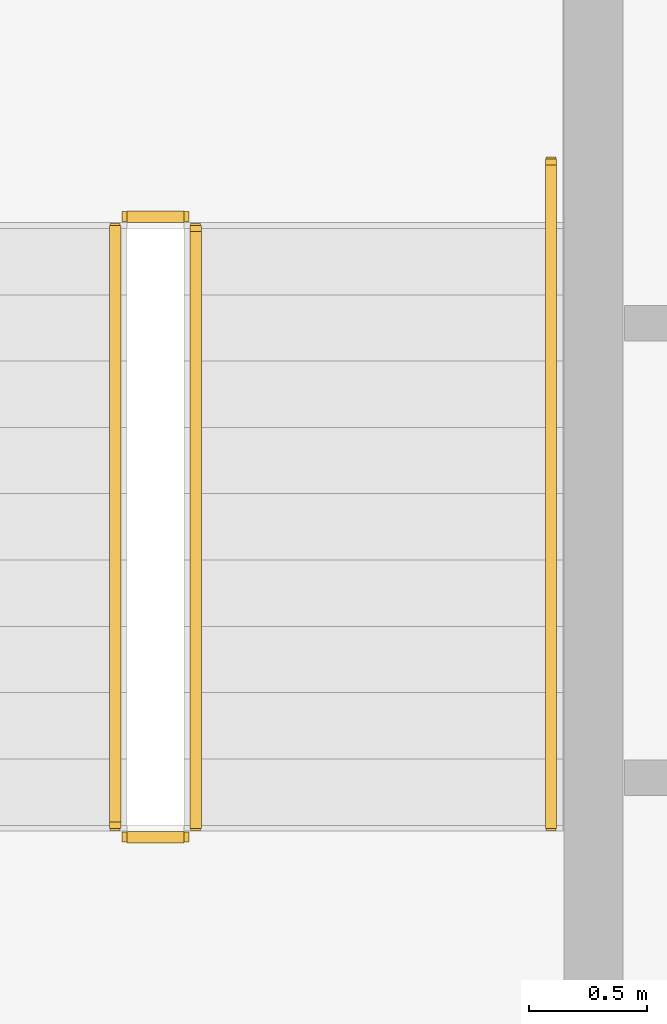
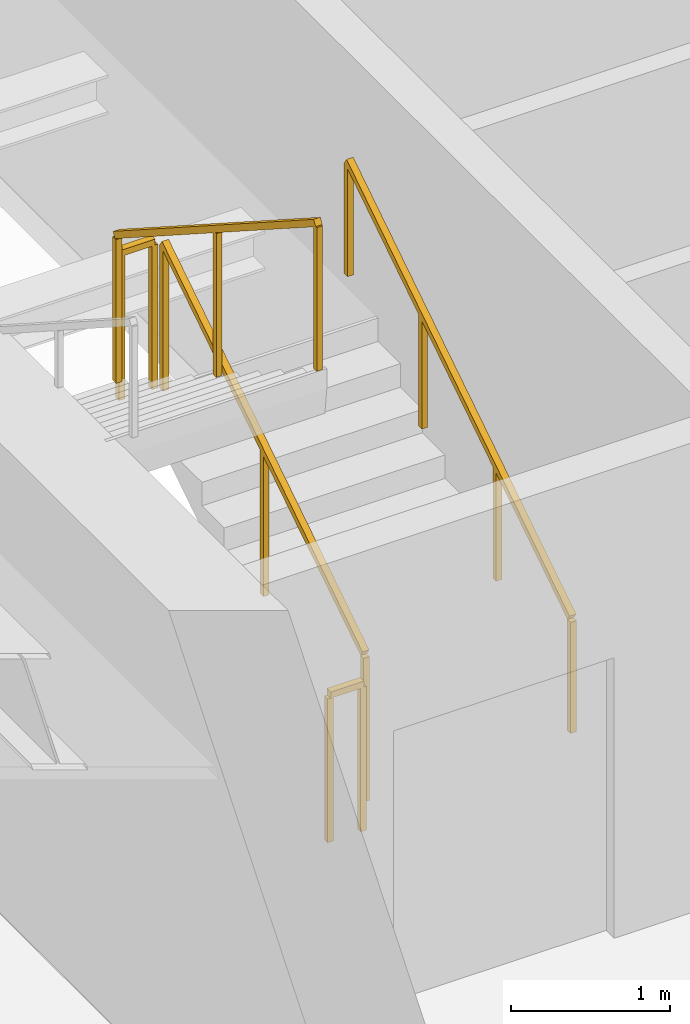
# One storey, part 24 of 27: 5 railings.
"""IFC4 building model written with IfcOpenShell, lengths in metres."""

from ifc_helpers import new_model, si_unit, direction, frame, origin, origin_2d, place, context, subcontext, project, spatial, rectangle, extrude, material, type_object, element, save


model = new_model("IFC4")

# Units and contexts
model_context = context("Model", 3, precision=1e-05, world=origin(), true_north=direction((0.0, 1.0)))
body_context = subcontext(model_context, "Body", "Model", "MODEL_VIEW")
ifc_project = project(units=[si_unit("LENGTHUNIT", "METRE"), si_unit("AREAUNIT", "SQUARE_METRE"), si_unit("VOLUMEUNIT", "CUBIC_METRE"), si_unit("PLANEANGLEUNIT", "RADIAN"), si_unit("MASSUNIT", "GRAM", prefix="KILO")], contexts=[model_context])

# Site, building, storey
site_placement = place(None, origin())
site = spatial("IfcSite", under=ifc_project, at=site_placement, CompositionType="ELEMENT")
building_placement = place(site_placement, origin())
building = spatial("IfcBuilding", under=site, at=building_placement, Name="Sumidabori Civic Tower", CompositionType="ELEMENT")
storey_placement = place(building_placement, frame((0.0, 0.0, 142.39990234375)))
storey = spatial("IfcBuildingStorey", under=building, at=storey_placement, Name="L36", CompositionType="ELEMENT", Elevation=142.39990234375)

# Railings
ifc_material_1 = material(Name="Stainless Steel Hairline Finish", Category="steel")
railing_type_1 = type_object("IfcRailingType", Name="RL-HANDRAIL", PredefinedType="HANDRAIL", material=ifc_material_1)
railing_1_placement = place(storey_placement, frame((-11.949951171875, 16.0, 0.18017578125)))
element("IfcRailing", 1, at=railing_1_placement, inside=storey, type_object=railing_type_1, Name="L36 ST-1 stair handrail 1", PredefinedType="HANDRAIL", context=body_context, shape_type="SweptSolid", body=[
    extrude(rectangle(XDim=0.048095703125, YDim=0.048095703125, at=origin_2d()), frame((0.0, 0.0, 0.8759765625), z_axis=(0.0, 0.840675598268, 0.541539046124), x_axis=(-1.0, 0.0, 0.0)), (0.0, 0.0, 1.0), 3.330810546875),
    extrude(rectangle(XDim=0.0419921875, YDim=0.0419921875, at=origin_2d()), origin(), (0.0, 0.0, 1.0), 0.851806640625),
    extrude(rectangle(XDim=0.0419921875, YDim=0.0419921875, at=origin_2d()), frame((0.0, 0.933349609375, 0.601318359375)), (0.0, 0.0, 1.0), 0.851806640625),
    extrude(rectangle(XDim=0.0419921875, YDim=0.0419921875, at=origin_2d()), frame((0.0, 1.86669921875, 1.202392578125)), (0.0, 0.0, 1.0), 0.851806640625),
    extrude(rectangle(XDim=0.0419921875, YDim=0.0419921875, at=origin_2d()), frame((0.0, 2.800048828125, 1.8037109375)), (0.0, 0.0, 1.0), 0.851806640625),
])
ifc_material_2 = material(Name="Steel SN490", Category="steel")
railing_type_2 = type_object("IfcRailingType", Name="RL-STAIR-GUARD", PredefinedType="GUARDRAIL", material=ifc_material_2)
railing_2_placement = place(storey_placement, frame((-13.449951171875, 16.0, 0.18017578125)))
element("IfcRailing", 2, at=railing_2_placement, inside=storey, type_object=railing_type_2, Name="L36 ST-1 stair guard 1", PredefinedType="GUARDRAIL", context=body_context, shape_type="SweptSolid", body=[
    extrude(rectangle(XDim=0.048095703125, YDim=0.048095703125, at=origin_2d()), frame((0.0, 0.0, 1.1259765625), z_axis=(0.0, 0.841199657755, 0.540724639528), x_axis=(-1.0, 0.0, 0.0)), (0.0, 0.0, 1.0), 2.995849609375),
    extrude(rectangle(XDim=0.0419921875, YDim=0.0419921875, at=origin_2d()), origin(), (0.0, 0.0, 1.0), 1.101806640625),
    extrude(rectangle(XDim=0.0419921875, YDim=0.0419921875, at=origin_2d()), frame((0.0, 1.260009765625, 0.81005859375)), (0.0, 0.0, 1.0), 1.101806640625),
    extrude(rectangle(XDim=0.0419921875, YDim=0.0419921875, at=origin_2d()), frame((0.0, 2.52001953125, 1.619873046875)), (0.0, 0.0, 1.0), 1.101806640625),
])
railing_3_placement = place(storey_placement, frame((-13.5, 18.570068359375, 1.800048828125)))
element("IfcRailing", 3, at=railing_3_placement, inside=storey, type_object=railing_type_2, Name="L36 ST-1 stair guard 2", PredefinedType="GUARDRAIL", context=body_context, shape_type="SweptSolid", body=[
    extrude(rectangle(XDim=0.048095703125, YDim=0.048095703125, at=origin_2d()), frame((0.0, 0.0, 1.1259765625), z_axis=(-1.0, 0.0, 0.0), x_axis=(0.0, -1.0, 0.0)), (0.0, 0.0, 1.0), 0.239990234375),
    extrude(rectangle(XDim=0.0419921875, YDim=0.0419921875, at=origin_2d()), origin(), (0.0, 0.0, 1.0), 1.101806640625),
    extrude(rectangle(XDim=0.0419921875, YDim=0.0419921875, at=origin_2d()), frame((-0.239990234375, 0.0, 0.0)), (0.0, 0.0, 1.0), 1.101806640625),
])
railing_4_placement = place(storey_placement, frame((-13.7900390625, 18.52001953125, 1.97998046875)))
element("IfcRailing", 4, at=railing_4_placement, inside=storey, type_object=railing_type_2, Name="L36 ST-1 stair guard 3", PredefinedType="GUARDRAIL", context=body_context, shape_type="SweptSolid", body=[
    extrude(rectangle(XDim=0.048095703125, YDim=0.048095703125, at=origin_2d()), frame((0.0, 0.0, 1.1259765625), z_axis=(0.0, -0.841162588446, 0.540782303519), x_axis=(1.0, 0.0, 0.0)), (0.0, 0.0, 1.0), 2.995849609375),
    extrude(rectangle(XDim=0.0419921875, YDim=0.0419921875, at=origin_2d()), origin(), (0.0, 0.0, 1.0), 1.101806640625),
    extrude(rectangle(XDim=0.0419921875, YDim=0.0419921875, at=origin_2d()), frame((0.0, -1.260009765625, 0.81005859375)), (0.0, 0.0, 1.0), 1.101806640625),
    extrude(rectangle(XDim=0.0419921875, YDim=0.0419921875, at=origin_2d()), frame((0.0, -2.52001953125, 1.6201171875)), (0.0, 0.0, 1.0), 1.101806640625),
])
railing_5_placement = place(storey_placement, frame((-13.5, 15.949951171875, 0.0)))
element("IfcRailing", 5, at=railing_5_placement, inside=storey, type_object=railing_type_2, Name="L36 ST-1 stair guard 4", PredefinedType="GUARDRAIL", context=body_context, shape_type="SweptSolid", body=[
    extrude(rectangle(XDim=0.048095703125, YDim=0.048095703125, at=origin_2d()), frame((0.0, 0.0, 1.1259765625), z_axis=(-1.0, 0.0, 0.0), x_axis=(0.0, -1.0, 0.0)), (0.0, 0.0, 1.0), 0.239990234375),
    extrude(rectangle(XDim=0.0419921875, YDim=0.0419921875, at=origin_2d()), origin(), (0.0, 0.0, 1.0), 1.101806640625),
    extrude(rectangle(XDim=0.0419921875, YDim=0.0419921875, at=origin_2d()), frame((-0.239990234375, 0.0, 0.0)), (0.0, 0.0, 1.0), 1.101806640625),
])

save(model, "model.ifc")
